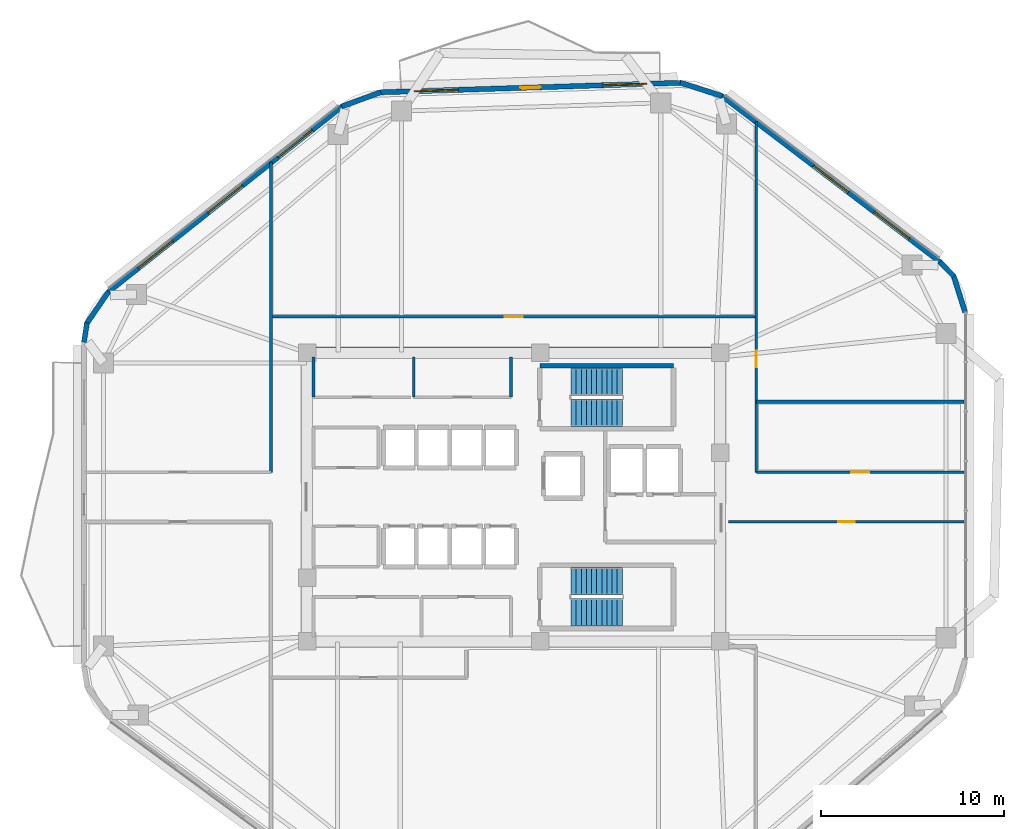
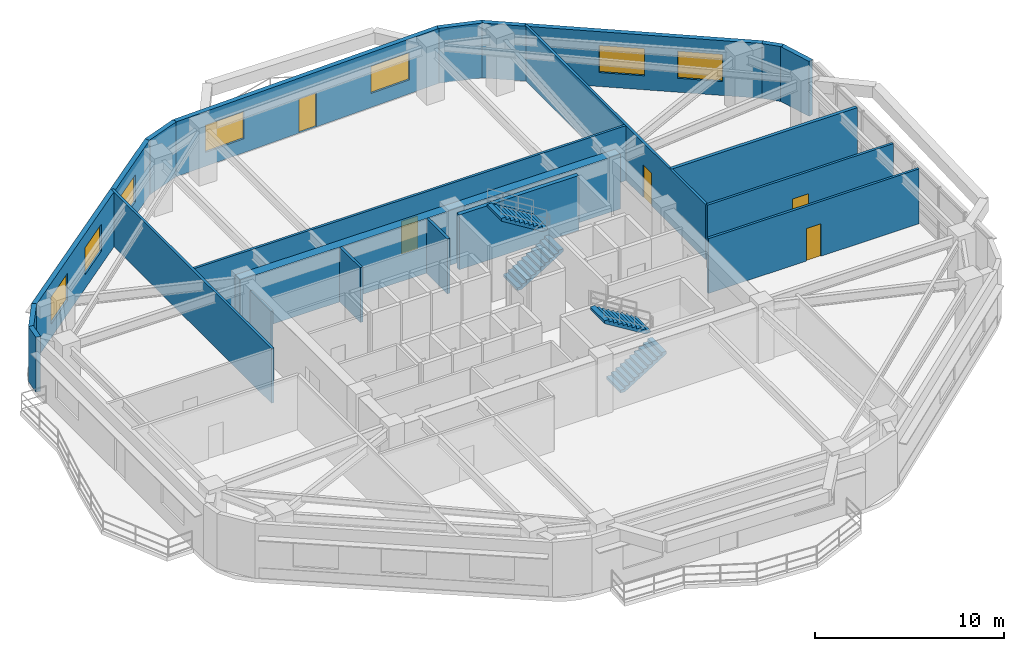
# One storey, part 10 of 13: 20 walls, 7 windows, 5 doors, 4 stair flights, 12 openings, 2 elements without a shape of their own.
"""IFC4 building model written with IfcOpenShell, lengths in metres."""

from ifc_helpers import new_model, si_unit, direction, frame, frame_2d, origin, place, context, subcontext, project, spatial, polyline, rectangle, outline, extrude, material, layer, layer_set, type_object, element, fill, aggregate, save


model = new_model("IFC4")

# Units and contexts
model_context = context("Model", 3, precision=1e-05, world=origin(), true_north=direction((0.0, 1.0)))
body_context = subcontext(model_context, "Body", "Model", "MODEL_VIEW")
ifc_project = project(units=[si_unit("LENGTHUNIT", "METRE"), si_unit("AREAUNIT", "SQUARE_METRE"), si_unit("VOLUMEUNIT", "CUBIC_METRE"), si_unit("PLANEANGLEUNIT", "RADIAN"), si_unit("MASSUNIT", "GRAM", prefix="KILO")], contexts=[model_context])

# Site, building, storey
site_placement = place(None, origin())
site = spatial("IfcSite", under=ifc_project, at=site_placement, CompositionType="ELEMENT")
building_placement = place(site_placement, origin())
building = spatial("IfcBuilding", under=site, at=building_placement, Name="Zulverin Broadcast Headquarters", CompositionType="ELEMENT")
storey_placement = place(building_placement, frame((0.0, 0.0, 155.39990234375)))
storey = spatial("IfcBuildingStorey", under=building, at=storey_placement, Name="L39", CompositionType="ELEMENT", Elevation=155.39990234375)

# Walls
ifc_material_1 = material(Name="Acoustic drywall steel stud", Category="steel")
ifc_layer_1 = layer(ifc_material_1, 0.199951171875, Name="Acoustic drywall steel stud", Category="steel")
ifc_layer_set_1 = layer_set([ifc_layer_1], Name="Acoustic drywall steel stud")
wall_type_1 = type_object("IfcWallType", Name="WL-ACOU-200", PredefinedType="PARTITIONING", material=ifc_layer_set_1)
wall_1_placement = place(storey_placement, frame((50.25, 30.39990234375, 0.0), z_axis=(0.0, 0.0, 1.0), x_axis=(1.0, 0.0, 0.0)))
element("IfcWall", 1, at=wall_1_placement, inside=storey, type_object=wall_type_1, Name="L39 Room Partition Wall RP-12", PredefinedType="PARTITIONING", context=body_context, shape_type="SweptSolid", body=[
    extrude(rectangle(XDim=11.344970703125, YDim=0.199951171875, at=frame_2d((5.67236328125, 0.0))), origin(), (0.0, 0.0, 1.0), 3.5400390625),
])
ifc_material_2 = material(Name="Concrete C60/75", Category="concrete")
ifc_layer_2 = layer(ifc_material_2, 0.550048828125, Name="Concrete C60/75", Category="concrete")
ifc_layer_set_2 = layer_set([ifc_layer_2], Name="Concrete C60/75")
wall_type_2 = type_object("IfcWallType", Name="WL-CORE-550", PredefinedType="SHEAR", material=ifc_layer_set_2)
wall_2_placement = place(storey_placement, frame((25.39990234375, 33.125, 0.0), z_axis=(0.0, 0.0, 1.0), x_axis=(1.0, 0.0, 0.0)))
element("IfcWall", 2, at=wall_2_placement, inside=storey, type_object=wall_type_2, Name="L39 Core North Shear Wall", PredefinedType="SHEAR", context=body_context, shape_type="SweptSolid", body=[
    extrude(rectangle(XDim=23.2001953125, YDim=0.550048828125, at=frame_2d((11.60009765625, 0.0))), origin(), (0.0, 0.0, 1.0), 3.5400390625),
])

# Wall, openings, windows
ifc_material_3 = material(Name="Insulated pale-metal clad concrete spandrel C40/50", Category="concrete")
ifc_layer_3 = layer(ifc_material_3, 0.280029296875, Name="Insulated pale-metal clad concrete spandrel C40/50", Category="concrete")
ifc_layer_set_3 = layer_set([ifc_layer_3], Name="Insulated pale-metal clad concrete spandrel C40/50")
wall_type_3 = type_object("IfcWallType", Name="WL-EXT-280", PredefinedType="STANDARD", material=ifc_layer_set_3)
wall_3_placement = place(storey_placement, frame((60.294921875, 38.025146484375, 0.0), z_axis=(0.0, 0.0, 1.0), x_axis=(-0.795831760834, 0.605517801925, 0.0)))
wall_3 = element("IfcWall", 3, at=wall_3_placement, inside=storey, type_object=wall_type_3, Name="L39 Pale-Metal Clad Spandrel Wall 4", PredefinedType="STANDARD", context=body_context, shape_type="SweptSolid", body=[
    extrude(rectangle(XDim=15.01171875, YDim=0.280029296875, at=frame_2d((7.505859375, 0.0))), origin(), (0.0, 0.0, 1.0), 3.5400390625),
])
opening_1_placement = place(wall_3_placement, frame((2.13525390625, 0.0, 0.89990234375)))
opening_1 = element("IfcOpeningElement", 4, at=opening_1_placement, cuts=wall_3, Name="Opening W-L39-E41", PredefinedType="OPENING", context=body_context, shape_type="SweptSolid", body=[
    extrude(rectangle(XDim=2.39990234375, YDim=1.75, at=frame_2d((1.199951171875, 0.875))), frame((0.0, 0.14990234375, 0.0), z_axis=(0.0, -1.0, 0.0), x_axis=(1.0, 0.0, 0.0)), (0.0, 0.0, 1.0), 0.300048828125),
])
opening_2_placement = place(wall_3_placement, frame((6.305908203125, 0.0, 0.89990234375)))
opening_2 = element("IfcOpeningElement", 5, at=opening_2_placement, cuts=wall_3, Name="Opening W-L39-E42", PredefinedType="OPENING", context=body_context, shape_type="SweptSolid", body=[
    extrude(rectangle(XDim=2.39990234375, YDim=1.75, at=frame_2d((1.199951171875, 0.875))), frame((0.0, 0.14990234375, 0.0), z_axis=(0.0, -1.0, 0.0), x_axis=(1.0, 0.0, 0.0)), (0.0, 0.0, 1.0), 0.300048828125),
])
ifc_material_4 = material(Name="Pale anodized aluminium frame with solar-control low-E double glazing", Category="aluminium")
window_type = type_object("IfcWindowType", Name="WIN-RIB-2400", PartitioningType="SINGLE_PANEL", PredefinedType="WINDOW", material=ifc_material_4)
window_1_placement = place(opening_1_placement, origin())
window_1 = element("IfcWindow", 6, at=window_1_placement, inside=storey, type_object=window_type, Name="L39 Ribbon Glazing Window 4 1", OverallHeight=1.75, OverallWidth=2.39990234375, PartitioningType="SINGLE_PANEL", PredefinedType="WINDOW", context=body_context, shape_type="SweptSolid", body=[
    extrude(rectangle(XDim=2.39990234375, YDim=1.75, at=frame_2d((1.199951171875, 0.875))), frame((0.0, 0.030029296875, 0.0), z_axis=(0.0, -1.0, 0.0), x_axis=(1.0, 0.0, 0.0)), (0.0, 0.0, 1.0), 0.06005859375),
])
fill(opening_1, window_1)
window_2_placement = place(opening_2_placement, origin())
window_2 = element("IfcWindow", 7, at=window_2_placement, inside=storey, type_object=window_type, Name="L39 Ribbon Glazing Window 4 2", OverallHeight=1.75, OverallWidth=2.39990234375, PartitioningType="SINGLE_PANEL", PredefinedType="WINDOW", context=body_context, shape_type="SweptSolid", body=[
    extrude(rectangle(XDim=2.39990234375, YDim=1.75, at=frame_2d((1.199951171875, 0.875))), frame((0.0, 0.030029296875, 0.0), z_axis=(0.0, -1.0, 0.0), x_axis=(1.0, 0.0, 0.0)), (0.0, 0.0, 1.0), 0.06005859375),
])
fill(opening_2, window_2)

# Wall, openings, door, windows
wall_4_placement = place(storey_placement, frame((46.143310546875, 47.819580078125, 0.0), z_axis=(0.0, 0.0, 1.0), x_axis=(-0.999497065256, -0.031711457627, 0.0)))
wall_4 = element("IfcWall", 8, at=wall_4_placement, inside=storey, type_object=wall_type_3, Name="L39 Pale-Metal Clad Spandrel Wall 5", PredefinedType="STANDARD", context=body_context, shape_type="SweptSolid", body=[
    extrude(rectangle(XDim=16.452392578125, YDim=0.280029296875, at=frame_2d((8.22607421875, 0.0))), origin(), (0.0, 0.0, 1.0), 3.5400390625),
])
opening_3_placement = place(wall_4_placement, frame((7.67626953125, 0.0, 0.0)))
opening_3 = element("IfcOpeningElement", 9, at=opening_3_placement, cuts=wall_4, Name="Opening D-L39-TR5", PredefinedType="OPENING", context=body_context, shape_type="SweptSolid", body=[
    extrude(rectangle(XDim=1.10009765625, YDim=2.199951171875, at=frame_2d((0.550048828125, 1.10009765625))), frame((0.0, 0.14990234375, 0.0), z_axis=(0.0, -1.0, 0.0), x_axis=(1.0, 0.0, 0.0)), (0.0, 0.0, 1.0), 0.300048828125),
])
opening_4_placement = place(wall_4_placement, frame((1.87548828125, 0.0, 0.89990234375)))
opening_4 = element("IfcOpeningElement", 10, at=opening_4_placement, cuts=wall_4, Name="Opening W-L39-E51", PredefinedType="OPENING", context=body_context, shape_type="SweptSolid", body=[
    extrude(rectangle(XDim=2.39990234375, YDim=1.75, at=frame_2d((1.199951171875, 0.875))), frame((0.0, 0.14990234375, 0.0), z_axis=(0.0, -1.0, 0.0), x_axis=(1.0, 0.0, 0.0)), (0.0, 0.0, 1.0), 0.300048828125),
])
opening_5_placement = place(wall_4_placement, frame((12.177001953125, 0.0, 0.89990234375)))
opening_5 = element("IfcOpeningElement", 11, at=opening_5_placement, cuts=wall_4, Name="Opening W-L39-E52", PredefinedType="OPENING", context=body_context, shape_type="SweptSolid", body=[
    extrude(rectangle(XDim=2.39990234375, YDim=1.75, at=frame_2d((1.199951171875, 0.875))), frame((0.0, 0.14990234375, 0.0), z_axis=(0.0, -1.0, 0.0), x_axis=(1.0, 0.0, 0.0)), (0.0, 0.0, 1.0), 0.300048828125),
])
ifc_material_5 = material(Name="Thermally broken aluminium glazed", Category="aluminium")
door_type_1 = type_object("IfcDoorType", Name="DR-TERR-1100", OperationType="SINGLE_SWING_RIGHT", PredefinedType="DOOR", material=ifc_material_5)
door_1_placement = place(opening_3_placement, origin())
door_1 = element("IfcDoor", 12, at=door_1_placement, inside=storey, type_object=door_type_1, Name="L39 Planted Terrace Glazed Access Door 5", OperationType="SINGLE_SWING_RIGHT", OverallHeight=2.199951171875, OverallWidth=1.10009765625, PredefinedType="DOOR", context=body_context, shape_type="SweptSolid", body=[
    extrude(rectangle(XDim=1.10009765625, YDim=2.199951171875, at=frame_2d((0.550048828125, 1.10009765625))), frame((0.0, 0.02490234375, 0.0), z_axis=(0.0, -1.0, 0.0), x_axis=(1.0, 0.0, 0.0)), (0.0, 0.0, 1.0), 0.050048828125),
])
fill(opening_3, door_1)
window_3_placement = place(opening_4_placement, origin())
window_3 = element("IfcWindow", 13, at=window_3_placement, inside=storey, type_object=window_type, Name="L39 Ribbon Glazing Window 5 1", OverallHeight=1.75, OverallWidth=2.39990234375, PartitioningType="SINGLE_PANEL", PredefinedType="WINDOW", context=body_context, shape_type="SweptSolid", body=[
    extrude(rectangle(XDim=2.39990234375, YDim=1.75, at=frame_2d((1.199951171875, 0.875))), frame((0.0, 0.030029296875, 0.0), z_axis=(0.0, -1.0, 0.0), x_axis=(1.0, 0.0, 0.0)), (0.0, 0.0, 1.0), 0.06005859375),
])
fill(opening_4, window_3)
window_4_placement = place(opening_5_placement, origin())
window_4 = element("IfcWindow", 14, at=window_4_placement, inside=storey, type_object=window_type, Name="L39 Ribbon Glazing Window 5 2", OverallHeight=1.75, OverallWidth=2.39990234375, PartitioningType="SINGLE_PANEL", PredefinedType="WINDOW", context=body_context, shape_type="SweptSolid", body=[
    extrude(rectangle(XDim=2.39990234375, YDim=1.75, at=frame_2d((1.199951171875, 0.875))), frame((0.0, 0.030029296875, 0.0), z_axis=(0.0, -1.0, 0.0), x_axis=(1.0, 0.0, 0.0)), (0.0, 0.0, 1.0), 0.06005859375),
])
fill(opening_5, window_4)

# Wall, openings, windows
wall_5_placement = place(storey_placement, frame((27.657958984375, 46.5498046875, 0.0), z_axis=(0.0, 0.0, 1.0), x_axis=(-0.783266285861, -0.621686356158, 0.0)))
wall_5 = element("IfcWall", 15, at=wall_5_placement, inside=storey, type_object=wall_type_3, Name="L39 Pale-Metal Clad Spandrel Wall 6", PredefinedType="STANDARD", context=body_context, shape_type="SweptSolid", body=[
    extrude(rectangle(XDim=16.35302734375, YDim=0.280029296875, at=frame_2d((8.176513671875, 0.0))), origin(), (0.0, 0.0, 1.0), 3.5400390625),
])
opening_6_placement = place(wall_5_placement, frame((2.10888671875, 0.0, 0.89990234375)))
opening_6 = element("IfcOpeningElement", 16, at=opening_6_placement, cuts=wall_5, Name="Opening W-L39-E61", PredefinedType="OPENING", context=body_context, shape_type="SweptSolid", body=[
    extrude(rectangle(XDim=2.39990234375, YDim=1.75, at=frame_2d((1.199951171875, 0.875))), frame((0.0, 0.14990234375, 0.0), z_axis=(0.0, -1.0, 0.0), x_axis=(1.0, 0.0, 0.0)), (0.0, 0.0, 1.0), 0.300048828125),
])
opening_7_placement = place(wall_5_placement, frame((6.9765625, 0.0, 0.89990234375)))
opening_7 = element("IfcOpeningElement", 17, at=opening_7_placement, cuts=wall_5, Name="Opening W-L39-E62", PredefinedType="OPENING", context=body_context, shape_type="SweptSolid", body=[
    extrude(rectangle(XDim=2.39990234375, YDim=1.75, at=frame_2d((1.199951171875, 0.875))), frame((0.0, 0.14990234375, 0.0), z_axis=(0.0, -1.0, 0.0), x_axis=(1.0, 0.0, 0.0)), (0.0, 0.0, 1.0), 0.300048828125),
])
opening_8_placement = place(wall_5_placement, frame((11.84423828125, 0.0, 0.89990234375)))
opening_8 = element("IfcOpeningElement", 18, at=opening_8_placement, cuts=wall_5, Name="Opening W-L39-E63", PredefinedType="OPENING", context=body_context, shape_type="SweptSolid", body=[
    extrude(rectangle(XDim=2.39990234375, YDim=1.75, at=frame_2d((1.199951171875, 0.875))), frame((0.0, 0.14990234375, 0.0), z_axis=(0.0, -1.0, 0.0), x_axis=(1.0, 0.0, 0.0)), (0.0, 0.0, 1.0), 0.300048828125),
])
window_5_placement = place(opening_6_placement, origin())
window_5 = element("IfcWindow", 19, at=window_5_placement, inside=storey, type_object=window_type, Name="L39 Ribbon Glazing Window 6 1", OverallHeight=1.75, OverallWidth=2.39990234375, PartitioningType="SINGLE_PANEL", PredefinedType="WINDOW", context=body_context, shape_type="SweptSolid", body=[
    extrude(rectangle(XDim=2.39990234375, YDim=1.75, at=frame_2d((1.199951171875, 0.875))), frame((0.0, 0.030029296875, 0.0), z_axis=(0.0, -1.0, 0.0), x_axis=(1.0, 0.0, 0.0)), (0.0, 0.0, 1.0), 0.06005859375),
])
fill(opening_6, window_5)
window_6_placement = place(opening_7_placement, origin())
window_6 = element("IfcWindow", 20, at=window_6_placement, inside=storey, type_object=window_type, Name="L39 Ribbon Glazing Window 6 2", OverallHeight=1.75, OverallWidth=2.39990234375, PartitioningType="SINGLE_PANEL", PredefinedType="WINDOW", context=body_context, shape_type="SweptSolid", body=[
    extrude(rectangle(XDim=2.39990234375, YDim=1.75, at=frame_2d((1.199951171875, 0.875))), frame((0.0, 0.030029296875, 0.0), z_axis=(0.0, -1.0, 0.0), x_axis=(1.0, 0.0, 0.0)), (0.0, 0.0, 1.0), 0.06005859375),
])
fill(opening_7, window_6)
window_7_placement = place(opening_8_placement, origin())
window_7 = element("IfcWindow", 21, at=window_7_placement, inside=storey, type_object=window_type, Name="L39 Ribbon Glazing Window 6 3", OverallHeight=1.75, OverallWidth=2.39990234375, PartitioningType="SINGLE_PANEL", PredefinedType="WINDOW", context=body_context, shape_type="SweptSolid", body=[
    extrude(rectangle(XDim=2.39990234375, YDim=1.75, at=frame_2d((1.199951171875, 0.875))), frame((0.0, 0.030029296875, 0.0), z_axis=(0.0, -1.0, 0.0), x_axis=(1.0, 0.0, 0.0)), (0.0, 0.0, 1.0), 0.06005859375),
])
fill(opening_8, window_7)

# Walls
wall_6_placement = place(storey_placement, frame((61.64697265625, 35.291259765625, 0.0), z_axis=(0.0, 0.0, 1.0), x_axis=(-0.302095077495, 0.953277800095, 0.0)))
element("IfcWall", 22, at=wall_6_placement, inside=storey, type_object=wall_type_3, Name="L39 Wind-Shaped Corner Spandrel Wall 3-1", PredefinedType="STANDARD", context=body_context, shape_type="SweptSolid", body=[
    extrude(rectangle(XDim=2.109375, YDim=0.280029296875, at=frame_2d((1.0546875, 0.0))), origin(), (0.0, 0.0, 1.0), 3.5400390625),
])
wall_7_placement = place(storey_placement, frame((61.04248046875, 37.247314453125, 0.0), z_axis=(0.0, 0.0, 1.0), x_axis=(-0.694004126367, 0.719971022045, 0.0)))
element("IfcWall", 23, at=wall_7_placement, inside=storey, type_object=wall_type_3, Name="L39 Wind-Shaped Corner Spandrel Wall 3-2", PredefinedType="STANDARD", context=body_context, shape_type="SweptSolid", body=[
    extrude(rectangle(XDim=1.10009765625, YDim=0.280029296875, at=frame_2d((0.550048828125, 0.0))), origin(), (0.0, 0.0, 1.0), 3.5400390625),
])
wall_8_placement = place(storey_placement, frame((48.390380859375, 47.093017578125, 0.0), z_axis=(0.0, 0.0, 1.0), x_axis=(-0.952542948918, 0.304404222156, 0.0)))
element("IfcWall", 24, at=wall_8_placement, inside=storey, type_object=wall_type_3, Name="L39 Wind-Shaped Corner Spandrel Wall 4-1", PredefinedType="STANDARD", context=body_context, shape_type="SweptSolid", body=[
    extrude(rectangle(XDim=2.408447265625, YDim=0.280029296875, at=frame_2d((1.2041015625, 0.0))), origin(), (0.0, 0.0, 1.0), 3.5400390625),
])
wall_9_placement = place(storey_placement, frame((29.742919921875, 47.306396484375, 0.0), z_axis=(0.0, 0.0, 1.0), x_axis=(-0.93893328381, -0.344099242302, 0.0)))
element("IfcWall", 25, at=wall_9_placement, inside=storey, type_object=wall_type_3, Name="L39 Wind-Shaped Corner Spandrel Wall 5-1", PredefinedType="STANDARD", context=body_context, shape_type="SweptSolid", body=[
    extrude(rectangle(XDim=2.261962890625, YDim=0.280029296875, at=frame_2d((1.130859375, 0.0))), origin(), (0.0, 0.0, 1.0), 3.5400390625),
])
wall_10_placement = place(storey_placement, frame((14.877685546875, 36.4140625, 0.0), z_axis=(0.0, 0.0, 1.0), x_axis=(-0.564564614133, -0.825388875906, 0.0)))
element("IfcWall", 26, at=wall_10_placement, inside=storey, type_object=wall_type_3, Name="L39 Wind-Shaped Corner Spandrel Wall 6-1", PredefinedType="STANDARD", context=body_context, shape_type="SweptSolid", body=[
    extrude(rectangle(XDim=2.127685546875, YDim=0.280029296875, at=frame_2d((1.06396484375, 0.0))), origin(), (0.0, 0.0, 1.0), 3.5400390625),
])
wall_11_placement = place(storey_placement, frame((13.69921875, 34.716064453125, 0.0), z_axis=(0.0, 0.0, 1.0), x_axis=(-0.149549920187, -0.988754176412, 0.0)))
element("IfcWall", 27, at=wall_11_placement, inside=storey, type_object=wall_type_3, Name="L39 Wind-Shaped Corner Spandrel Wall 6-2", PredefinedType="STANDARD", context=body_context, shape_type="SweptSolid", body=[
    extrude(rectangle(XDim=1.075927734375, YDim=0.280029296875, at=frame_2d((0.5380859375, 0.0))), origin(), (0.0, 0.0, 1.0), 3.5400390625),
])
ifc_material_6 = material(Name="Fire-rated gypsum stud partition", Category="gypsum")
ifc_layer_4 = layer(ifc_material_6, 0.14990234375, Name="Fire-rated gypsum stud partition", Category="gypsum")
ifc_layer_set_4 = layer_set([ifc_layer_4], Name="Fire-rated gypsum stud partition")
wall_type_4 = type_object("IfcWallType", Name="WL-PART-150", PredefinedType="PARTITIONING", material=ifc_layer_set_4)
wall_12_placement = place(storey_placement, frame((26.070068359375, 30.64990234375, 0.0), z_axis=(0.0, 0.0, 1.0), x_axis=(0.0, 1.0, 0.0)))
element("IfcWall", 28, at=wall_12_placement, inside=storey, type_object=wall_type_4, Name="L39 Core Male WC West Wall", PredefinedType="PARTITIONING", context=body_context, shape_type="SweptSolid", body=[
    extrude(rectangle(XDim=2.2001953125, YDim=0.14990234375, at=frame_2d((1.10009765625, 0.0))), origin(), (0.0, 0.0, 1.0), 2.64013671875),
])
for number, where, z_axis, x_axis, name in (
    (29, (31.5400390625, 30.64990234375, 0.0), (0.0, 0.0, 1.0), (0.0, 1.0, 0.0), "L39 Core Accessible WC West Wall"),
    (30, (36.85009765625, 30.64990234375, 0.0), (0.0, 0.0, 1.0), (0.0, 1.0, 0.0), "L39 Core Accessible WC East Wall"),
):
    element("IfcWall", number, at=place(storey_placement, frame(where, z_axis=z_axis, x_axis=x_axis)), inside=storey, type_object=wall_type_4, Name=name, PredefinedType="PARTITIONING", context=body_context, shape_type="SweptSolid", body=[
        extrude(rectangle(XDim=2.2001953125, YDim=0.14990234375, at=frame_2d((1.10009765625, 0.0))), origin(), (0.0, 0.0, 1.0), 3.5400390625),
    ])

# Wall, opening, door
wall_13_placement = place(storey_placement, frame((50.25, 26.550048828125, 0.0), z_axis=(0.0, 0.0, 1.0), x_axis=(0.0, 1.0, 0.0)))
wall_13 = element("IfcWall", 31, at=wall_13_placement, inside=storey, type_object=wall_type_4, Name="L39 Gallery Partition Wall CG-02", PredefinedType="PARTITIONING", context=body_context, shape_type="SweptSolid", body=[
    extrude(rectangle(XDim=19.15380859375, YDim=0.14990234375, at=frame_2d((9.576904296875, 0.0))), origin(), (0.0, 0.0, 1.0), 3.5400390625),
])
opening_9_placement = place(wall_13_placement, frame((5.72509765625, 0.0, 0.0)))
opening_9 = element("IfcOpeningElement", 32, at=opening_9_placement, cuts=wall_13, Name="Opening D-L39-07", PredefinedType="OPENING", context=body_context, shape_type="SweptSolid", body=[
    extrude(rectangle(XDim=0.89990234375, YDim=2.10009765625, at=frame_2d((0.449951171875, 1.050048828125))), frame((0.0, 0.0849609375, 0.0), z_axis=(0.0, -1.0, 0.0), x_axis=(1.0, 0.0, 0.0)), (0.0, 0.0, 1.0), 0.169921875),
])
ifc_material_7 = material(Name="Fire-rated hardwood veneer timber leaf", Category="wood")
door_type_2 = type_object("IfcDoorType", Name="DR-ROOM-900", OperationType="SINGLE_SWING_RIGHT", PredefinedType="DOOR", material=ifc_material_7)
door_2_placement = place(opening_9_placement, origin())
door_2 = element("IfcDoor", 33, at=door_2_placement, inside=storey, type_object=door_type_2, Name="L39 Cloud Playout Control Suite Door", OperationType="SINGLE_SWING_LEFT", OverallHeight=2.10009765625, OverallWidth=0.89990234375, PredefinedType="DOOR", context=body_context, shape_type="SweptSolid", body=[
    extrude(rectangle(XDim=0.89990234375, YDim=2.10009765625, at=frame_2d((0.449951171875, 1.050048828125))), frame((0.0, 0.02490234375, 0.0), z_axis=(0.0, -1.0, 0.0), x_axis=(1.0, 0.0, 0.0)), (0.0, 0.0, 1.0), 0.050048828125),
])
fill(opening_9, door_2)

# Wall
wall_14_placement = place(storey_placement, frame((23.75, 26.550048828125, 0.0), z_axis=(0.0, 0.0, 1.0), x_axis=(0.0, 1.0, 0.0)))
element("IfcWall", 34, at=wall_14_placement, inside=storey, type_object=wall_type_4, Name="L39 Gallery Partition Wall CG-05", PredefinedType="PARTITIONING", context=body_context, shape_type="SweptSolid", body=[
    extrude(rectangle(XDim=16.936767578125, YDim=0.14990234375, at=frame_2d((8.46826171875, 0.0))), origin(), (0.0, 0.0, 1.0), 3.5400390625),
])

# Wall, opening, door
wall_15_placement = place(storey_placement, frame((48.739990234375, 23.85009765625, 0.0), z_axis=(0.0, 0.0, 1.0), x_axis=(1.0, 0.0, 0.0)))
wall_15 = element("IfcWall", 35, at=wall_15_placement, inside=storey, type_object=wall_type_4, Name="L39 Gallery Partition Wall CG-09", PredefinedType="PARTITIONING", context=body_context, shape_type="SweptSolid", body=[
    extrude(rectangle(XDim=12.85498046875, YDim=0.14990234375, at=frame_2d((6.427490234375, 0.0))), origin(), (0.0, 0.0, 1.0), 3.5400390625),
])
opening_10_placement = place(wall_15_placement, frame((5.9775390625, 0.0, 0.0)))
opening_10 = element("IfcOpeningElement", 36, at=opening_10_placement, cuts=wall_15, Name="Opening D-L39-05", PredefinedType="OPENING", context=body_context, shape_type="SweptSolid", body=[
    extrude(rectangle(XDim=0.89990234375, YDim=2.10009765625, at=frame_2d((0.449951171875, 1.050048828125))), frame((0.0, 0.0849609375, 0.0), z_axis=(0.0, -1.0, 0.0), x_axis=(1.0, 0.0, 0.0)), (0.0, 0.0, 1.0), 0.169921875),
])
door_3_placement = place(opening_10_placement, origin())
door_3 = element("IfcDoor", 37, at=door_3_placement, inside=storey, type_object=door_type_2, Name="L39 Tea Pantry Door", OperationType="SINGLE_SWING_LEFT", OverallHeight=2.10009765625, OverallWidth=0.89990234375, PredefinedType="DOOR", context=body_context, shape_type="SweptSolid", body=[
    extrude(rectangle(XDim=0.89990234375, YDim=2.10009765625, at=frame_2d((0.449951171875, 1.050048828125))), frame((0.0, 0.02490234375, 0.0), z_axis=(0.0, -1.0, 0.0), x_axis=(1.0, 0.0, 0.0)), (0.0, 0.0, 1.0), 0.050048828125),
])
fill(opening_10, door_3)

wall_16_placement = place(storey_placement, frame((50.25, 26.550048828125, 0.0), z_axis=(0.0, 0.0, 1.0), x_axis=(1.0, 0.0, 0.0)))
wall_16 = element("IfcWall", 38, at=wall_16_placement, inside=storey, type_object=wall_type_4, Name="L39 Gallery Partition Wall CG-11", PredefinedType="PARTITIONING", context=body_context, shape_type="SweptSolid", body=[
    extrude(rectangle(XDim=11.344970703125, YDim=0.14990234375, at=frame_2d((5.67236328125, 0.0))), origin(), (0.0, 0.0, 1.0), 3.5400390625),
])
opening_11_placement = place(wall_16_placement, frame((5.172607421875, 0.0, 0.0)))
opening_11 = element("IfcOpeningElement", 39, at=opening_11_placement, cuts=wall_16, Name="Opening D-L39-06", PredefinedType="OPENING", context=body_context, shape_type="SweptSolid", body=[
    extrude(rectangle(XDim=1.0, YDim=2.1201171875, at=frame_2d((0.5, 1.06005859375))), frame((0.0, 0.0849609375, 0.0), z_axis=(0.0, -1.0, 0.0), x_axis=(1.0, 0.0, 0.0)), (0.0, 0.0, 1.0), 0.169921875),
])
ifc_material_8 = material(Name="Hardwood veneer acoustic leaf", Category="wood")
door_type_3 = type_object("IfcDoorType", Name="DR-OFF-1000", OperationType="SINGLE_SWING_LEFT", PredefinedType="DOOR", material=ifc_material_8)
door_4_placement = place(opening_11_placement, origin())
door_4 = element("IfcDoor", 40, at=door_4_placement, inside=storey, type_object=door_type_3, Name="L39 Digital Streaming Workplace Door", OperationType="SINGLE_SWING_RIGHT", OverallHeight=2.1201171875, OverallWidth=1.0, PredefinedType="DOOR", context=body_context, shape_type="SweptSolid", body=[
    extrude(rectangle(XDim=1.0, YDim=2.1201171875, at=frame_2d((0.5, 1.06005859375))), frame((0.0, 0.02490234375, 0.0), z_axis=(0.0, -1.0, 0.0), x_axis=(1.0, 0.0, 0.0)), (0.0, 0.0, 1.0), 0.050048828125),
])
fill(opening_11, door_4)

wall_17_placement = place(storey_placement, frame((23.75, 35.050048828125, 0.0), z_axis=(0.0, 0.0, 1.0), x_axis=(1.0, 0.0, 0.0)))
wall_17 = element("IfcWall", 41, at=wall_17_placement, inside=storey, type_object=wall_type_4, Name="L39 Gallery Partition Wall CG-13", PredefinedType="PARTITIONING", context=body_context, shape_type="SweptSolid", body=[
    extrude(rectangle(XDim=26.5, YDim=0.14990234375, at=frame_2d((13.25, 0.0))), origin(), (0.0, 0.0, 1.0), 3.5400390625),
])
opening_12_placement = place(wall_17_placement, frame((12.75, 0.0, 0.0)))
opening_12 = element("IfcOpeningElement", 42, at=opening_12_placement, cuts=wall_17, Name="Opening D-L39-01", PredefinedType="OPENING", context=body_context, shape_type="SweptSolid", body=[
    extrude(rectangle(XDim=1.0, YDim=2.1201171875, at=frame_2d((0.5, 1.06005859375))), frame((0.0, 0.0849609375, 0.0), z_axis=(0.0, -1.0, 0.0), x_axis=(1.0, 0.0, 0.0)), (0.0, 0.0, 1.0), 0.169921875),
])
door_5_placement = place(opening_12_placement, origin())
door_5 = element("IfcDoor", 43, at=door_5_placement, inside=storey, type_object=door_type_3, Name="L39 Digital Streaming Workplace Door", OperationType="SINGLE_SWING_LEFT", OverallHeight=2.1201171875, OverallWidth=1.0, PredefinedType="DOOR", context=body_context, shape_type="SweptSolid", body=[
    extrude(rectangle(XDim=1.0, YDim=2.1201171875, at=frame_2d((0.5, 1.06005859375))), frame((0.0, 0.02490234375, 0.0), z_axis=(0.0, -1.0, 0.0), x_axis=(1.0, 0.0, 0.0)), (0.0, 0.0, 1.0), 0.050048828125),
])
fill(opening_12, door_5)

# Wall
ifc_material_9 = material(Name="Concrete C50/60", Category="concrete")
ifc_layer_5 = layer(ifc_material_9, 0.25, Name="Concrete C50/60", Category="concrete")
ifc_layer_set_5 = layer_set([ifc_layer_5], Name="Concrete C50/60")
wall_type_5 = type_object("IfcWallType", Name="WL-SHAFT-250", PredefinedType="SHEAR", material=ifc_layer_set_5)
wall_18_placement = place(storey_placement, frame((38.425048828125, 32.375, 0.0), z_axis=(0.0, 0.0, 1.0), x_axis=(1.0, 0.0, 0.0)))
element("IfcWall", 44, at=wall_18_placement, inside=storey, type_object=wall_type_5, Name="L39 ST-1 Enclosure Wall N", PredefinedType="SHEAR", context=body_context, shape_type="SweptSolid", body=[
    extrude(rectangle(XDim=7.300048828125, YDim=0.25, at=frame_2d((3.64990234375, 0.0))), origin(), (0.0, 0.0, 1.0), 3.5400390625),
])

# Stair, stair flights
ifc_material_10 = material(Name="Concrete C40/50", Category="concrete")
stair_type = type_object("IfcStairType", Name="ST-CORE-1500", PredefinedType="HALF_TURN_STAIR", material=ifc_material_10)
stair_1_placement = place(storey_placement, origin())
stair_1 = element("IfcStair", 45, at=stair_1_placement, inside=storey, type_object=stair_type, Name="L39 Core Exit Stair ST-1", PredefinedType="HALF_TURN_STAIR")
stair_flight_type = type_object("IfcStairFlightType", Name="SF-CORE-1500", PredefinedType="STRAIGHT", material=ifc_material_10)
stair_flight_1_placement = place(storey_placement, frame((40.1298828125, 29.800048828125, 0.0), z_axis=(0.0, 0.0, 1.0), x_axis=(1.0, 0.0, 0.0)))
stair_flight_1 = element("IfcStairFlight", 46, at=stair_flight_1_placement, type_object=stair_flight_type, Name="ST-1 flight 1", NumberOfRisers=11, NumberOfTreads=10, PredefinedType="STRAIGHT", RiserHeight=0.172727273, TreadLength=0.28, context=body_context, shape_type="SweptSolid", body=[
    extrude(outline(polyline([(0.0, 0.0), (0.0, 0.172607421875), (0.280029296875, 0.172607421875), (0.280029296875, 0.345458984375), (0.56005859375, 0.345458984375), (0.56005859375, 0.51806640625), (0.840087890625, 0.51806640625), (0.840087890625, 0.69091796875), (1.1201171875, 0.69091796875), (1.1201171875, 0.863525390625), (1.39990234375, 0.863525390625), (1.39990234375, 1.036376953125), (1.679931640625, 1.036376953125), (1.679931640625, 1.208984375), (1.9599609375, 1.208984375), (1.9599609375, 1.3818359375), (2.239990234375, 1.3818359375), (2.239990234375, 1.554443359375), (2.52001953125, 1.554443359375), (2.52001953125, 1.727294921875), (2.800048828125, 1.727294921875), (2.800048828125, 1.89990234375), (2.800048828125, 1.551025390625), (0.285400390625, 0.0), (0.0, 0.0)])), frame((0.0, 0.75, 0.0), z_axis=(0.0, -1.0, 0.0), x_axis=(1.0, 0.0, 0.0)), (0.0, 0.0, 1.0), 1.5),
])
stair_flight_2_placement = place(storey_placement, frame((42.929931640625, 31.5, 1.900146484375), z_axis=(0.0, 0.0, 1.0), x_axis=(-1.0, 0.0, 0.0)))
stair_flight_2 = element("IfcStairFlight", 47, at=stair_flight_2_placement, type_object=stair_flight_type, Name="ST-1 flight 2", NumberOfRisers=11, NumberOfTreads=10, PredefinedType="STRAIGHT", RiserHeight=0.172727273, TreadLength=0.28, context=body_context, shape_type="SweptSolid", body=[
    extrude(outline(polyline([(0.0, 0.0), (0.0, 0.172607421875), (0.280029296875, 0.172607421875), (0.280029296875, 0.345458984375), (0.56005859375, 0.345458984375), (0.56005859375, 0.51806640625), (0.840087890625, 0.51806640625), (0.840087890625, 0.69091796875), (1.1201171875, 0.69091796875), (1.1201171875, 0.863525390625), (1.39990234375, 0.863525390625), (1.39990234375, 1.036376953125), (1.679931640625, 1.036376953125), (1.679931640625, 1.208984375), (1.9599609375, 1.208984375), (1.9599609375, 1.3818359375), (2.239990234375, 1.3818359375), (2.239990234375, 1.554443359375), (2.52001953125, 1.554443359375), (2.52001953125, 1.727294921875), (2.800048828125, 1.727294921875), (2.800048828125, 1.89990234375), (2.800048828125, 1.551025390625), (0.285400390625, 0.0), (0.0, 0.0)])), frame((0.0, 0.75, 0.0), z_axis=(0.0, -1.0, 0.0), x_axis=(1.0, 0.0, 0.0)), (0.0, 0.0, 1.0), 1.5),
])
aggregate(stair_1, [stair_flight_1, stair_flight_2])

stair_2_placement = place(storey_placement, origin())
stair_2 = element("IfcStair", 48, at=stair_2_placement, inside=storey, type_object=stair_type, Name="L39 Core Exit Stair ST-2", PredefinedType="HALF_TURN_STAIR")
stair_flight_3_placement = place(storey_placement, frame((40.1298828125, 18.89990234375, 0.0), z_axis=(0.0, 0.0, 1.0), x_axis=(1.0, 0.0, 0.0)))
stair_flight_3 = element("IfcStairFlight", 49, at=stair_flight_3_placement, type_object=stair_flight_type, Name="ST-2 flight 1", NumberOfRisers=11, NumberOfTreads=10, PredefinedType="STRAIGHT", RiserHeight=0.172727273, TreadLength=0.28, context=body_context, shape_type="SweptSolid", body=[
    extrude(outline(polyline([(0.0, 0.0), (0.0, 0.172607421875), (0.280029296875, 0.172607421875), (0.280029296875, 0.345458984375), (0.56005859375, 0.345458984375), (0.56005859375, 0.51806640625), (0.840087890625, 0.51806640625), (0.840087890625, 0.69091796875), (1.1201171875, 0.69091796875), (1.1201171875, 0.863525390625), (1.39990234375, 0.863525390625), (1.39990234375, 1.036376953125), (1.679931640625, 1.036376953125), (1.679931640625, 1.208984375), (1.9599609375, 1.208984375), (1.9599609375, 1.3818359375), (2.239990234375, 1.3818359375), (2.239990234375, 1.554443359375), (2.52001953125, 1.554443359375), (2.52001953125, 1.727294921875), (2.800048828125, 1.727294921875), (2.800048828125, 1.89990234375), (2.800048828125, 1.551025390625), (0.285400390625, 0.0), (0.0, 0.0)])), frame((0.0, 0.75, 0.0), z_axis=(0.0, -1.0, 0.0), x_axis=(1.0, 0.0, 0.0)), (0.0, 0.0, 1.0), 1.5),
])
stair_flight_4_placement = place(storey_placement, frame((42.929931640625, 20.60009765625, 1.900146484375), z_axis=(0.0, 0.0, 1.0), x_axis=(-1.0, 0.0, 0.0)))
stair_flight_4 = element("IfcStairFlight", 50, at=stair_flight_4_placement, type_object=stair_flight_type, Name="ST-2 flight 2", NumberOfRisers=11, NumberOfTreads=10, PredefinedType="STRAIGHT", RiserHeight=0.172727273, TreadLength=0.28, context=body_context, shape_type="SweptSolid", body=[
    extrude(outline(polyline([(0.0, 0.0), (0.0, 0.172607421875), (0.280029296875, 0.172607421875), (0.280029296875, 0.345458984375), (0.56005859375, 0.345458984375), (0.56005859375, 0.51806640625), (0.840087890625, 0.51806640625), (0.840087890625, 0.69091796875), (1.1201171875, 0.69091796875), (1.1201171875, 0.863525390625), (1.39990234375, 0.863525390625), (1.39990234375, 1.036376953125), (1.679931640625, 1.036376953125), (1.679931640625, 1.208984375), (1.9599609375, 1.208984375), (1.9599609375, 1.3818359375), (2.239990234375, 1.3818359375), (2.239990234375, 1.554443359375), (2.52001953125, 1.554443359375), (2.52001953125, 1.727294921875), (2.800048828125, 1.727294921875), (2.800048828125, 1.89990234375), (2.800048828125, 1.551025390625), (0.285400390625, 0.0), (0.0, 0.0)])), frame((0.0, 0.75, 0.0), z_axis=(0.0, -1.0, 0.0), x_axis=(1.0, 0.0, 0.0)), (0.0, 0.0, 1.0), 1.5),
])
aggregate(stair_2, [stair_flight_3, stair_flight_4])

save(model, "model.ifc")
